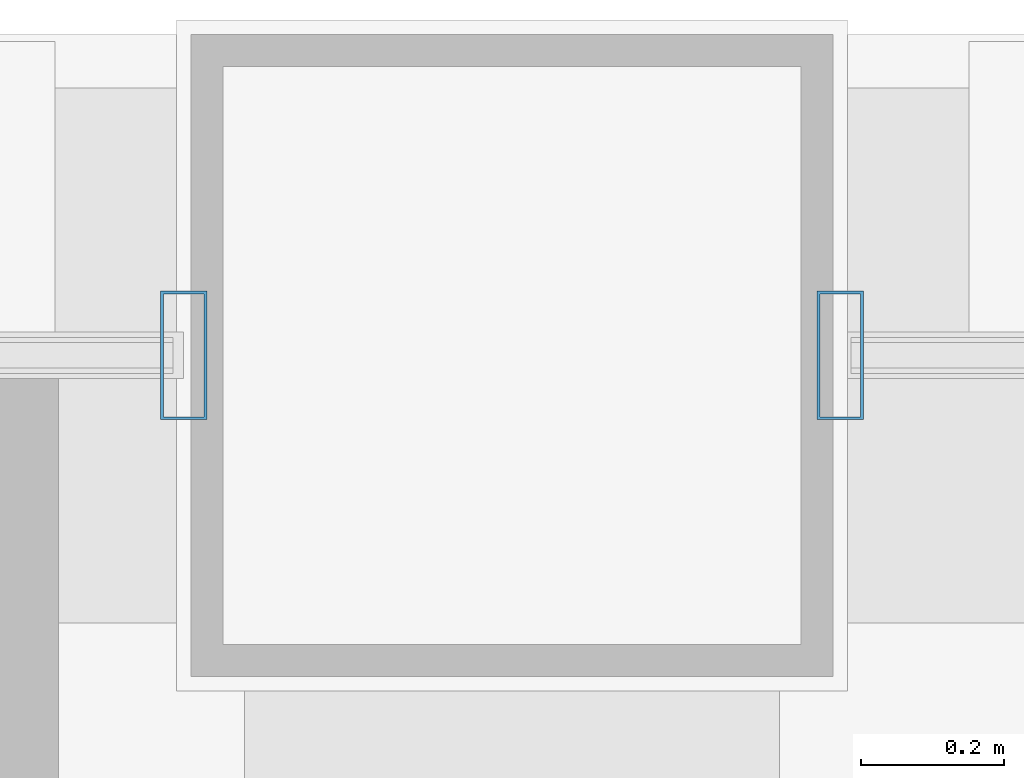
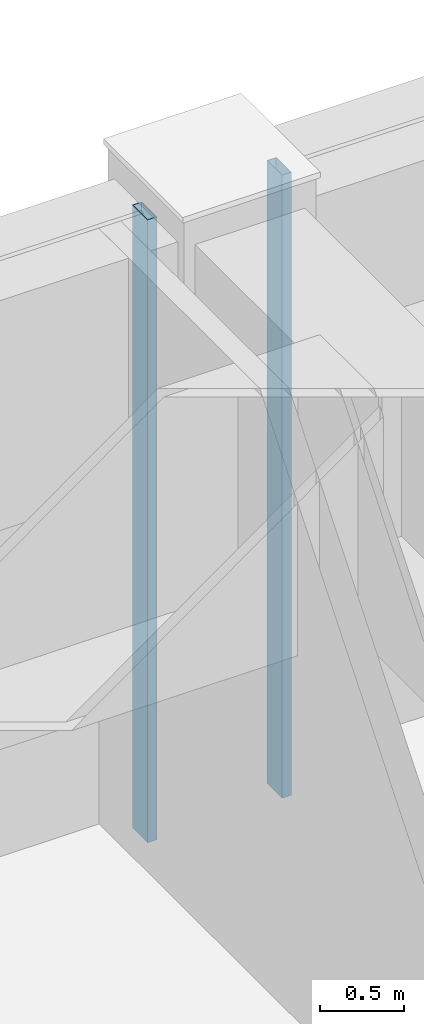
# One storey, part 20 of 29: 2 members, 2 elements without a shape of their own.
"""IFC4 building model written with IfcOpenShell, lengths in metres."""

from ifc_helpers import new_model, si_unit, direction, frame, origin, origin_2d, place, context, subcontext, project, spatial, hollow_rectangle, extrude, material, layer, layer_set, material_profile, profile_set, type_object, element, aggregate, save


model = new_model("IFC4")

# Units and contexts
model_context = context("Model", 3, precision=1e-05, world=origin(), true_north=direction((0.0, 1.0)))
body_context = subcontext(model_context, "Body", "Model", "MODEL_VIEW")
ifc_project = project(units=[si_unit("LENGTHUNIT", "METRE"), si_unit("AREAUNIT", "SQUARE_METRE"), si_unit("VOLUMEUNIT", "CUBIC_METRE"), si_unit("PLANEANGLEUNIT", "RADIAN"), si_unit("MASSUNIT", "GRAM", prefix="KILO")], contexts=[model_context])

# Site, building, storey
site_placement = place(None, origin())
site = spatial("IfcSite", under=ifc_project, at=site_placement, CompositionType="ELEMENT")
building_placement = place(site_placement, origin())
building = spatial("IfcBuilding", under=site, at=building_placement, Name="Brelmoor Portico Tower", CompositionType="ELEMENT")
storey_placement = place(building_placement, frame((0.0, 0.0, 82.800048828125)))
storey = spatial("IfcBuildingStorey", under=building, at=storey_placement, Name="L21", CompositionType="ELEMENT", Elevation=82.800048828125)

# Curtain wall, member
ifc_material = material(Name="Anodised Aluminium Alloy 6063-T6", Category="aluminium")
ifc_layer = layer(ifc_material, 0.179931640625)
ifc_layer_set = layer_set([ifc_layer], Name="Anodised Aluminium Alloy 6063-T6")
curtain_wall_type = type_object("IfcCurtainWallType", Name="CW-TOWER-Z1", PredefinedType="NOTDEFINED", material=ifc_layer_set)
curtain_wall_1_placement = place(storey_placement, origin())
curtain_wall_1 = element("IfcCurtainWall", 1, at=curtain_wall_1_placement, inside=storey, type_object=curtain_wall_type, Name="L21 Curtain Wall CW-L21-02-2", PredefinedType="NOTDEFINED")
ifc_material_profile = material_profile(ifc_material, hollow_rectangle(XDim=0.06494140625, YDim=0.179931640625, WallThickness=0.00390625, at=origin_2d()), Name="ALU MULLION 65x180")
ifc_profile_set = profile_set([ifc_material_profile], Name="Anodised Aluminium Alloy 6063-T6")
member_type = type_object("IfcMemberType", Name="MB-CW-MULL-180", PredefinedType="MULLION", material=ifc_profile_set)
member_1_placement = place(storey_placement, frame((-8.510009765625, 21.550048828125, -0.199951171875), z_axis=(0.0, 0.0, 1.0), x_axis=(1.0, 0.0, 0.0)))
member_1 = element("IfcMember", 2, at=member_1_placement, type_object=member_type, Name="CW-L21-02-2 Mullion 01", PredefinedType="MULLION", context=body_context, shape_type="SweptSolid", body=[
    extrude(hollow_rectangle(XDim=0.06494140625, YDim=0.179931640625, WallThickness=0.00390625, at=origin_2d()), origin(), (0.0, 0.0, 1.0), 4.5),
])
aggregate(curtain_wall_1, [member_1])

curtain_wall_2_placement = place(storey_placement, origin())
curtain_wall_2 = element("IfcCurtainWall", 3, at=curtain_wall_2_placement, inside=storey, type_object=curtain_wall_type, Name="L21 Curtain Wall CW-L21-02-3", PredefinedType="NOTDEFINED")
member_2_placement = place(storey_placement, frame((-7.590087890625, 21.550048828125, -0.199951171875), z_axis=(0.0, 0.0, 1.0), x_axis=(1.0, 0.0, 0.0)))
member_2 = element("IfcMember", 4, at=member_2_placement, type_object=member_type, Name="CW-L21-02-3 Mullion 00", PredefinedType="MULLION", context=body_context, shape_type="SweptSolid", body=[
    extrude(hollow_rectangle(XDim=0.06494140625, YDim=0.179931640625, WallThickness=0.00390625, at=origin_2d()), origin(), (0.0, 0.0, 1.0), 4.5),
])
aggregate(curtain_wall_2, [member_2])

save(model, "model.ifc")
